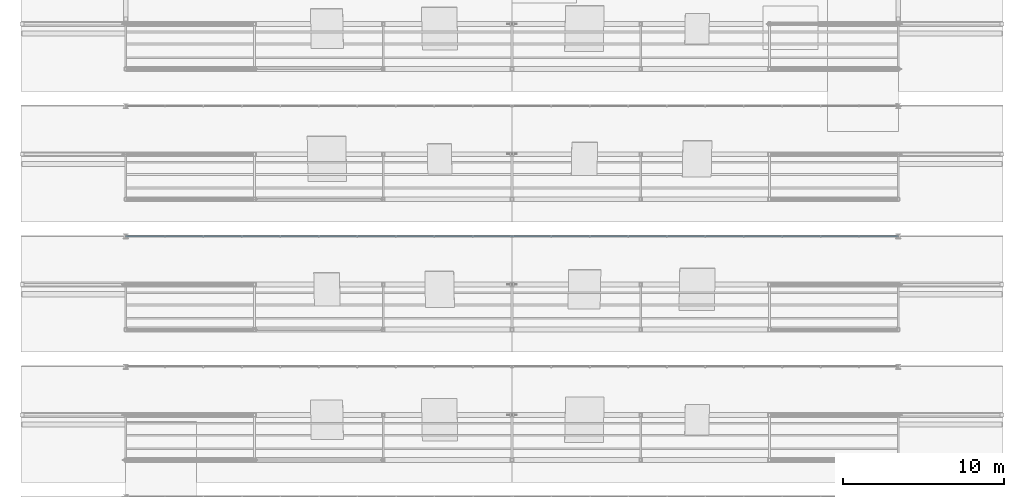
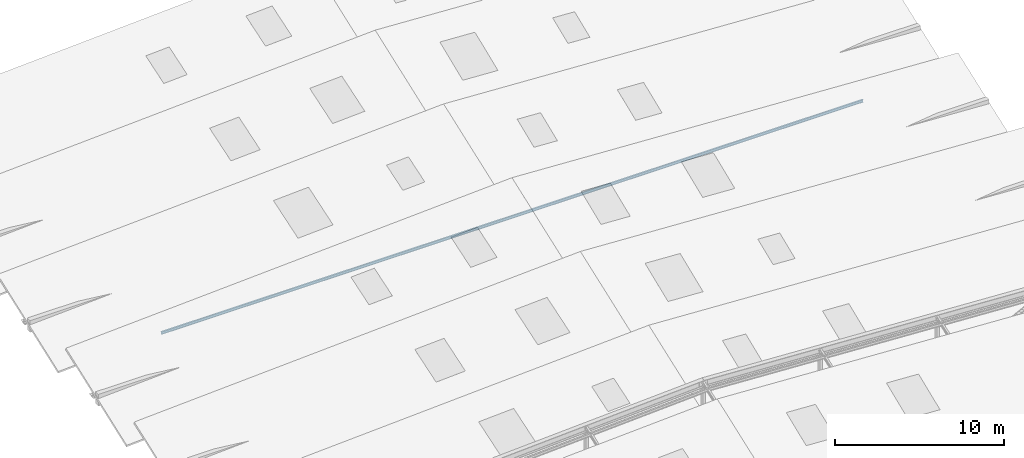
# One storey, part 46 of 141: 1 member.
"""IFC4 building model written with IfcOpenShell, lengths in metres."""

from ifc_helpers import new_model, si_unit, direction, frame, origin, origin_2d, place, context, subcontext, project, spatial, i_section, extrude, material, material_profile, profile_set, type_object, element, save


model = new_model("IFC4")

# Units and contexts
model_context = context("Model", 3, precision=1e-05, world=origin(), true_north=direction((0.0, 1.0)))
body_context = subcontext(model_context, "Body", "Model", "MODEL_VIEW")
ifc_project = project(units=[si_unit("LENGTHUNIT", "METRE"), si_unit("AREAUNIT", "SQUARE_METRE"), si_unit("VOLUMEUNIT", "CUBIC_METRE"), si_unit("PLANEANGLEUNIT", "RADIAN"), si_unit("MASSUNIT", "GRAM", prefix="KILO")], contexts=[model_context])

# Site, building, storey
site_placement = place(None, origin())
site = spatial("IfcSite", under=ifc_project, at=site_placement, CompositionType="ELEMENT")
building_placement = place(site_placement, origin())
building = spatial("IfcBuilding", under=site, at=building_placement, Name="Sundkrona Museum", CompositionType="ELEMENT")
storey_placement = place(building_placement, frame((0.0, 0.0, 34.0)))
storey = spatial("IfcBuildingStorey", under=building, at=storey_placement, Name="RF", CompositionType="ELEMENT", Elevation=34.0)

# Member
ifc_material = material(Name="Steel S355J2", Category="steel")
ifc_material_profile = material_profile(ifc_material, i_section(OverallWidth=0.10009765625, OverallDepth=0.199951171875, WebThickness=0.005615234375, FlangeThickness=0.008544921875, FilletRadius=0.011962890625, at=origin_2d()), Name="IPE 200")
ifc_profile_set = profile_set([ifc_material_profile], Name="Steel S355J2")
member_type = type_object("IfcMemberType", Name="PR-IPE200", PredefinedType="PURLIN", material=ifc_profile_set)
member_placement = place(storey_placement, frame((120.0, 26.5, 3.383056640625), z_axis=(1.0, 0.0, 0.0), x_axis=(0.0, 1.0, 0.0)))
element("IfcMember", 1, at=member_placement, inside=storey, type_object=member_type, Name="RFS-1 Sawtooth Bay 4 Clerestory Sill Beam", PredefinedType="PURLIN", context=body_context, shape_type="SweptSolid", body=[
    extrude(i_section(OverallWidth=0.10009765625, OverallDepth=0.199951171875, WebThickness=0.005615234375, FlangeThickness=0.008544921875, FilletRadius=0.011962890625, at=origin_2d()), origin(), (0.0, 0.0, 1.0), 48.0),
])

save(model, "model.ifc")
